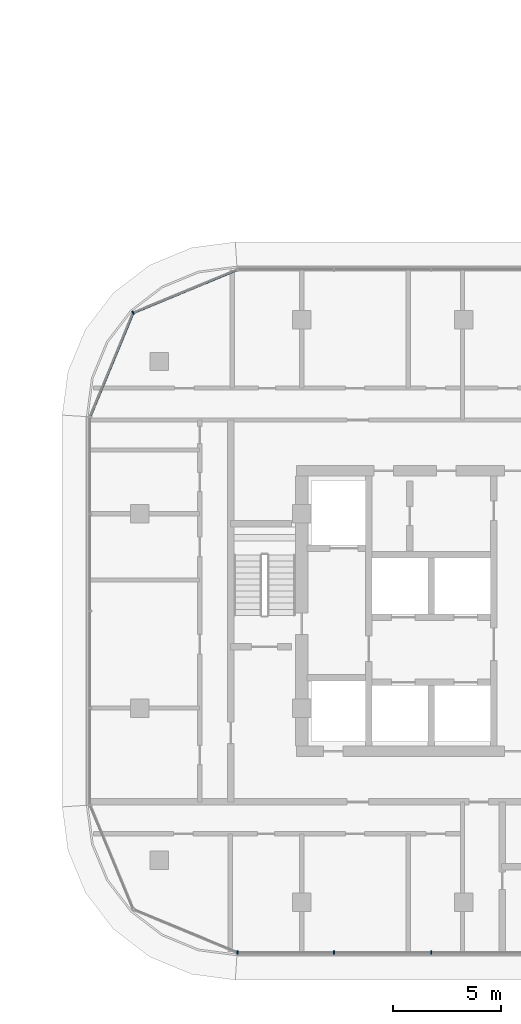
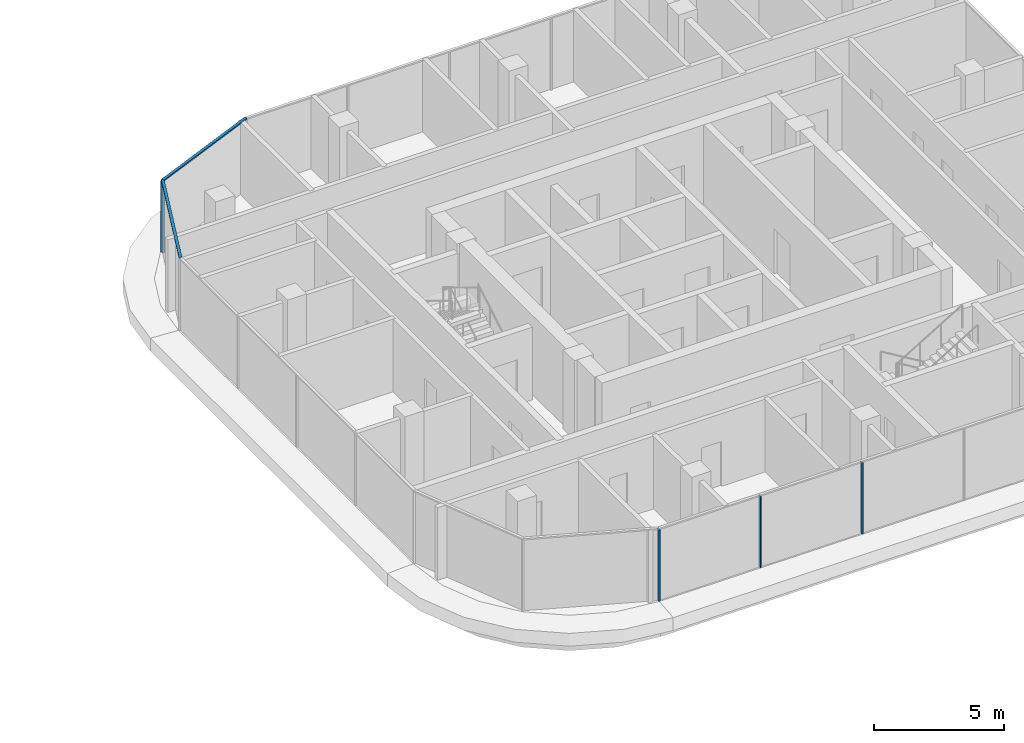
# One storey, part 11 of 36: 6 members, 2 elements without a shape of their own.
"""IFC4 building model written with IfcOpenShell, lengths in metres."""

import ifcopenshell
import ifcopenshell.guid

model = None  # the IFC model being written
_history = None  # IfcOwnerHistory: only IFC2X3 demands one
_inside = {}  # id of a spatial element -> (the spatial element, [elements in it])
_under = {}  # id of a project, library or spatial element -> (it, [spatial elements below it])
_declared = {}  # id of a project -> (the project, [libraries it declares])
_typed = {}  # id of a type object -> (the type object, [elements of that type])
_made_of = {}  # id of a material, layer set ... -> (it, [elements and type objects made of it])


def new_model(schema):
    """Start an empty IFC model of exactly this schema.

    Asked for "IFC4X3", IfcOpenShell would pick the latest addendum, in which some entities
    have other attributes; the version numbers below select the first issue.
    IFC2X3 requires an IfcOwnerHistory on every rooted entity: one is made here for all.
    """
    global model, _history
    if schema == "IFC4X3":
        model = ifcopenshell.file(schema_version=(4, 3, 0, 0))
    else:
        model = ifcopenshell.file(schema=schema)
    _inside.clear()
    _under.clear()
    _declared.clear()
    _typed.clear()
    _made_of.clear()
    _history = None
    if model.schema == "IFC2X3":
        org = make("IfcOrganization", Name="unknown")
        user = make(
            "IfcPersonAndOrganization",
            ThePerson=make("IfcPerson", FamilyName="unknown"),
            TheOrganization=org,
        )
        app = make(
            "IfcApplication",
            ApplicationDeveloper=org,
            Version="unknown",
            ApplicationFullName="unknown",
            ApplicationIdentifier="unknown",
        )
        _history = make(
            "IfcOwnerHistory",
            OwningUser=user,
            OwningApplication=app,
            ChangeAction="ADDED",
            CreationDate=0,
        )
    return model


def make(cls, **values):
    """One entity of the class cls with the attributes given. An attribute that is None is left unset."""
    return model.create_entity(
        cls, **{name: value for name, value in values.items() if value is not None}
    )


def rooted(cls, **values):
    """An entity with a GlobalId (a new one), such as an element, a storey or a relation."""
    return make(cls, GlobalId=ifcopenshell.guid.new(), OwnerHistory=_history, **values)


def si_unit(unit_type, name, prefix=None):
    """IfcSIUnit, for example si_unit("LENGTHUNIT", "METRE", prefix="MILLI")."""
    return make("IfcSIUnit", UnitType=unit_type, Prefix=prefix, Name=name)


def assignment(units):
    """IfcUnitAssignment: the units of a project."""
    return None if units is None else make("IfcUnitAssignment", Units=units)


def point(xyz):
    """IfcCartesianPoint."""
    return None if xyz is None else make("IfcCartesianPoint", Coordinates=xyz)


def direction(xyz):
    """IfcDirection."""
    return None if xyz is None else make("IfcDirection", DirectionRatios=xyz)


def frame(location, z_axis=None, x_axis=None):
    """IfcAxis2Placement3D, a coordinate frame: its origin and axes. An axis left out is left unset."""
    return make(
        "IfcAxis2Placement3D",
        Location=point(location),
        Axis=direction(z_axis),
        RefDirection=direction(x_axis),
    )


def frame_2d(location, x_axis=None):
    """IfcAxis2Placement2D, a coordinate frame in the plane: its origin and x axis."""
    return make(
        "IfcAxis2Placement2D", Location=point(location), RefDirection=direction(x_axis)
    )


def origin():
    """The frame at (0, 0, 0) with its axes left unset."""
    return frame((0.0, 0.0, 0.0))


def origin_2d():
    """The frame at (0, 0) in the plane with its x axis left unset."""
    return frame_2d((0.0, 0.0))


def place(relative_to, where):
    """IfcLocalPlacement: puts the frame where relative to a parent placement (None: the world)."""
    return make(
        "IfcLocalPlacement", PlacementRelTo=relative_to, RelativePlacement=where
    )


def context(
    kind, dimensions, precision=None, world=None, true_north=None, identifier=None
):
    """IfcGeometricRepresentationContext, for example the 3D "Model" context."""
    return make(
        "IfcGeometricRepresentationContext",
        ContextIdentifier=identifier,
        ContextType=kind,
        CoordinateSpaceDimension=dimensions,
        Precision=precision,
        WorldCoordinateSystem=world,
        TrueNorth=true_north,
    )


def subcontext(parent, identifier, kind, view, scale=None):
    """IfcGeometricRepresentationSubContext, for example "Body" below "Model"."""
    return make(
        "IfcGeometricRepresentationSubContext",
        ContextIdentifier=identifier,
        ContextType=kind,
        ParentContext=parent,
        TargetScale=scale,
        TargetView=view,
    )


def project(units=None, contexts=None):
    """IfcProject with its units and contexts."""
    return rooted(
        "IfcProject",
        Name="project",
        RepresentationContexts=contexts,
        UnitsInContext=assignment(units),
    )


def spatial(cls, under=None, at=None, **own):
    """A site, building, storey or space (cls), placed at a placement, below another one or the project."""
    s = rooted(cls, ObjectPlacement=at, **own)
    if under is not None:
        _under.setdefault(under.id(), (under, []))[1].append(s)
    return s


def profile(cls, at=None, kind="AREA", **sizes):
    """A parametric profile (cls). Its sizes go by their IFC names, for example OverallWidth=200.0."""
    return make(cls, ProfileType=kind, Position=at, **sizes)


def rectangle(**sizes):
    """IfcRectangleProfileDef."""
    return profile("IfcRectangleProfileDef", **sizes)


def extrude(swept, where, along, depth):
    """IfcExtrudedAreaSolid: the profile swept, set in the frame where, extruded along a direction by depth."""
    return make(
        "IfcExtrudedAreaSolid",
        SweptArea=swept,
        Position=where,
        ExtrudedDirection=direction(along),
        Depth=depth,
    )


def shape(context_of_items, identifier, shape_type, items):
    """IfcShapeRepresentation: the items that make up one representation, for example the "Body"."""
    return make(
        "IfcShapeRepresentation",
        ContextOfItems=context_of_items,
        RepresentationIdentifier=identifier,
        RepresentationType=shape_type,
        Items=items,
    )


def material(Name=None, Category=None):
    """IfcMaterial."""
    return make("IfcMaterial", Name=Name, Category=Category)


def material_profile(
    of_material, cross_section, Name=None, Category=None, Priority=None
):
    """IfcMaterialProfile: a cross section and its material."""
    return make(
        "IfcMaterialProfile",
        Name=Name,
        Material=of_material,
        Profile=cross_section,
        Priority=Priority,
        Category=Category,
    )


def profile_set(profiles, Name=None, composite=None):
    """IfcMaterialProfileSet."""
    return make(
        "IfcMaterialProfileSet",
        Name=Name,
        MaterialProfiles=profiles,
        CompositeProfile=composite,
    )


def made_of(thing, what):
    """Note that an element or type object is made of a material, layer set ...; save() writes the relation."""
    if what is not None:
        _made_of.setdefault(what.id(), (what, []))[1].append(thing)
    return thing


def type_object(cls, material=None, **own):
    """A type object (cls), such as IfcWallType, which elements share."""
    return made_of(rooted(cls, **own), material)


def element(
    cls,
    number,
    at=None,
    inside=None,
    cuts=None,
    type_object=None,
    material=None,
    context=None,
    identifier="Body",
    shape_type=None,
    held_by="IfcProductDefinitionShape",
    body=None,
    shapes=None,
    **own,
):
    """One element of the class cls, such as IfcWall. Its Tag is "e" and its number.

    at: its placement. inside: the storey or other place that contains it. cuts: it is an
    opening in that element (IfcRelVoidsElement). A single representation is given by context,
    identifier, shape_type and body (its items); several are given by shapes. held_by: the class
    of the entity that holds the representations. save() writes the other relations.
    """
    e = rooted(cls, Tag="e%d" % number, ObjectPlacement=at, **own)
    if body is not None:
        shapes = [shape(context, identifier, shape_type, body)]
    if shapes is not None:
        e.Representation = make(held_by, Representations=shapes)
    if inside is not None:
        _inside.setdefault(inside.id(), (inside, []))[1].append(e)
    if cuts is not None:
        rooted(
            "IfcRelVoidsElement", RelatingBuildingElement=cuts, RelatedOpeningElement=e
        )
    if type_object is not None:
        _typed.setdefault(type_object.id(), (type_object, []))[1].append(e)
    return made_of(e, material)


def aggregate(whole, parts):
    """IfcRelAggregates: a whole, such as a stair, and the parts it consists of."""
    return rooted("IfcRelAggregates", RelatingObject=whole, RelatedObjects=parts)


def save(model, path):
    """Write the relations noted so far, then the file.

    IfcRelAggregates (storeys below a building ...), IfcRelContainedInSpatialStructure (elements
    in a storey), IfcRelDefinesByType, IfcRelAssociatesMaterial and IfcRelDeclares: one each for
    every whole, place, type object, material and project.
    """
    for whole, parts in _under.values():
        aggregate(whole, parts)
    for where, things in _inside.values():
        rooted(
            "IfcRelContainedInSpatialStructure",
            RelatedElements=things,
            RelatingStructure=where,
        )
    for kind, things in _typed.values():
        rooted("IfcRelDefinesByType", RelatedObjects=things, RelatingType=kind)
    for what, things in _made_of.values():
        rooted("IfcRelAssociatesMaterial", RelatedObjects=things, RelatingMaterial=what)
    for by, libraries in _declared.values():
        rooted("IfcRelDeclares", RelatingContext=by, RelatedDefinitions=libraries)
    model.write(path)


model = new_model("IFC4")

# Units and contexts
model_context = context("Model", 3, precision=1e-05, world=origin(), true_north=direction((0.0, 1.0)))
body_context = subcontext(model_context, "Body", "Model", "MODEL_VIEW")
ifc_project = project(units=[si_unit("LENGTHUNIT", "METRE"), si_unit("AREAUNIT", "SQUARE_METRE"), si_unit("VOLUMEUNIT", "CUBIC_METRE"), si_unit("PLANEANGLEUNIT", "RADIAN"), si_unit("MASSUNIT", "GRAM", prefix="KILO")], contexts=[model_context])

# Site, building, storey
site_placement = place(None, origin())
site = spatial("IfcSite", under=ifc_project, at=site_placement, CompositionType="ELEMENT")
building_placement = place(site_placement, origin())
building = spatial("IfcBuilding", under=site, at=building_placement, Name="Ogive Portal Towers", CompositionType="ELEMENT")
storey_placement = place(building_placement, frame((0.0, 0.0, 63.10009765625)))
storey = spatial("IfcBuildingStorey", under=building, at=storey_placement, Name="L14", CompositionType="ELEMENT", Elevation=63.10009765625)

# Curtain wall, members
ifc_material_1 = material(Name="Glass, clear low-iron insulated glazing", Category="glass")
curtain_wall_type = type_object("IfcCurtainWallType", Name="CW RESIDENCES RIBBON", PredefinedType="NOTDEFINED", material=ifc_material_1)
curtain_wall_1_placement = place(storey_placement, origin())
curtain_wall_1 = element("IfcCurtainWall", 1, at=curtain_wall_1_placement, inside=storey, type_object=curtain_wall_type, Name="B:L14:f02:cw0", PredefinedType="NOTDEFINED")
ifc_material_2 = material(Name="Aluminium 6063 anodised", Category="aluminium")
ifc_material_profile_1 = material_profile(ifc_material_2, rectangle(XDim=0.159912109375, YDim=0.06005859375, at=origin_2d()), Name="AL 60x160")
ifc_profile_set_1 = profile_set([ifc_material_profile_1], Name="Aluminium 6063 anodised")
member_type_1 = type_object("IfcMemberType", Name="CW MULLION 60x160", PredefinedType="MULLION", material=ifc_profile_set_1)
member_1_placement = place(storey_placement, frame((126.015869140625, 15.179931640625, 0.0), z_axis=(0.0, 0.0, 1.0), x_axis=(0.0, 1.0, 0.0)))
member_1 = element("IfcMember", 2, at=member_1_placement, type_object=member_type_1, Name="mullion", PredefinedType="MULLION", context=body_context, shape_type="SweptSolid", body=[
    extrude(rectangle(XDim=0.159912109375, YDim=0.06005859375, at=origin_2d()), origin(), (0.0, 0.0, 1.0), 3.33984375),
])
member_2_placement = place(storey_placement, frame((130.5, 15.179931640625, 0.0), z_axis=(0.0, 0.0, 1.0), x_axis=(0.0, 1.0, 0.0)))
member_2 = element("IfcMember", 3, at=member_2_placement, type_object=member_type_1, Name="mullion", PredefinedType="MULLION", context=body_context, shape_type="SweptSolid", body=[
    extrude(rectangle(XDim=0.159912109375, YDim=0.06005859375, at=origin_2d()), origin(), (0.0, 0.0, 1.0), 3.33984375),
])
member_3_placement = place(storey_placement, frame((135.0, 15.179931640625, 0.0), z_axis=(0.0, 0.0, 1.0), x_axis=(0.0, 1.0, 0.0)))
member_3 = element("IfcMember", 4, at=member_3_placement, type_object=member_type_1, Name="mullion", PredefinedType="MULLION", context=body_context, shape_type="SweptSolid", body=[
    extrude(rectangle(XDim=0.159912109375, YDim=0.06005859375, at=origin_2d()), origin(), (0.0, 0.0, 1.0), 3.33984375),
])
aggregate(curtain_wall_1, [member_1, member_2, member_3])

curtain_wall_2_placement = place(storey_placement, origin())
curtain_wall_2 = element("IfcCurtainWall", 5, at=curtain_wall_2_placement, inside=storey, type_object=curtain_wall_type, Name="B:L14:f09:cwa", PredefinedType="NOTDEFINED")
member_4_placement = place(storey_placement, frame((121.18212890625, 44.81787109375, 0.0), z_axis=(0.0, 0.0, 1.0), x_axis=(0.382683432365, -0.923879532511, 0.0)))
member_4 = element("IfcMember", 6, at=member_4_placement, type_object=member_type_1, Name="mullion", PredefinedType="MULLION", context=body_context, shape_type="SweptSolid", body=[
    extrude(rectangle(XDim=0.159912109375, YDim=0.06005859375, at=origin_2d()), origin(), (0.0, 0.0, 1.0), 3.33984375),
])
ifc_material_profile_2 = material_profile(ifc_material_2, rectangle(XDim=0.1201171875, YDim=0.06005859375, at=origin_2d()), Name="AL 120x60")
ifc_profile_set_2 = profile_set([ifc_material_profile_2], Name="Aluminium 6063 anodised")
member_type_2 = type_object("IfcMemberType", Name="CW TRANSOM 60x120", PredefinedType="USERDEFINED", material=ifc_profile_set_2)
member_5_placement = place(storey_placement, frame((126.015869140625, 46.820068359375, 3.369873046875), z_axis=(-0.923879768784, -0.382682861952, 0.0), x_axis=(0.382682861952, -0.923879768784, 0.0)))
member_5 = element("IfcMember", 7, at=member_5_placement, type_object=member_type_2, Name="transom", ObjectType="TRANSOM", PredefinedType="USERDEFINED", context=body_context, shape_type="SweptSolid", body=[
    extrude(rectangle(XDim=0.1201171875, YDim=0.06005859375, at=origin_2d()), origin(), (0.0, 0.0, 1.0), 5.23193359375),
])
member_6_placement = place(storey_placement, frame((121.18212890625, 44.81787109375, 3.369873046875), z_axis=(-0.382682861952, -0.923879768784, 0.0), x_axis=(0.923879768784, -0.382682861952, 0.0)))
member_6 = element("IfcMember", 8, at=member_6_placement, type_object=member_type_2, Name="transom", ObjectType="TRANSOM", PredefinedType="USERDEFINED", context=body_context, shape_type="SweptSolid", body=[
    extrude(rectangle(XDim=0.1201171875, YDim=0.06005859375, at=origin_2d()), origin(), (0.0, 0.0, 1.0), 5.23193359375),
])
aggregate(curtain_wall_2, [member_5, member_6, member_4])

save(model, "model.ifc")
